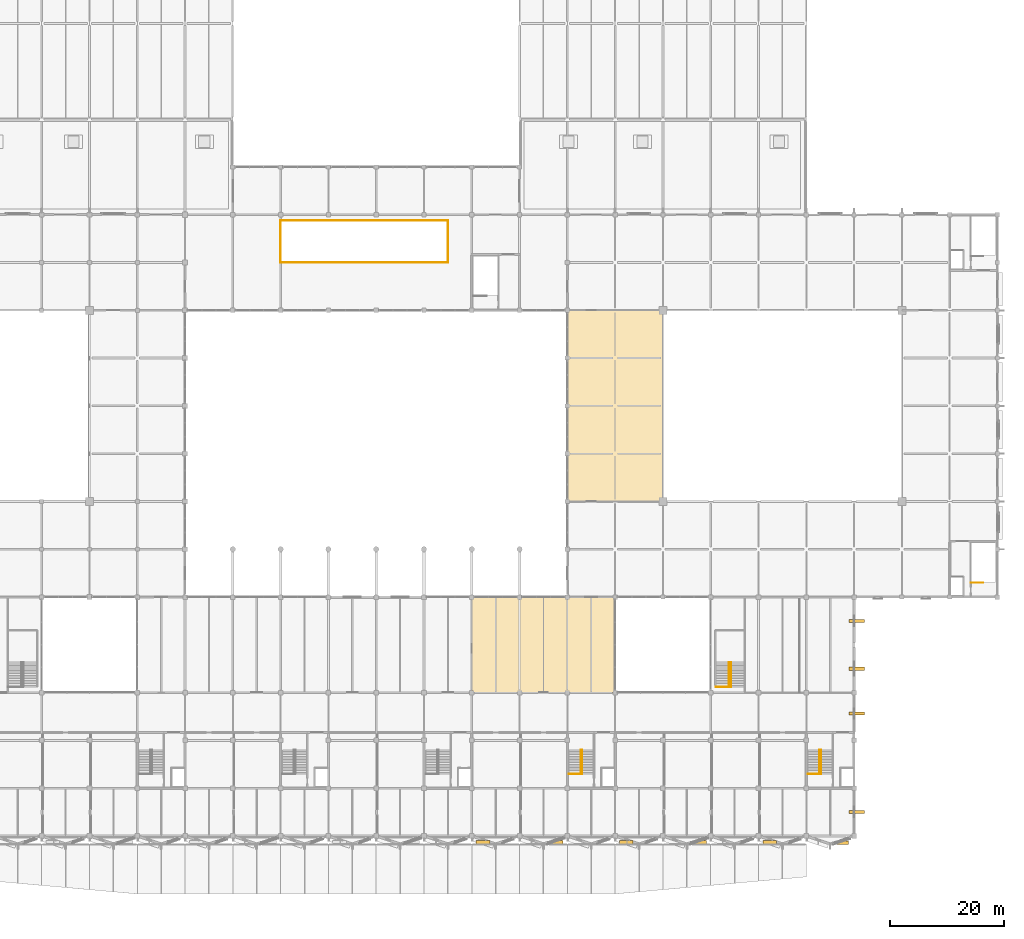
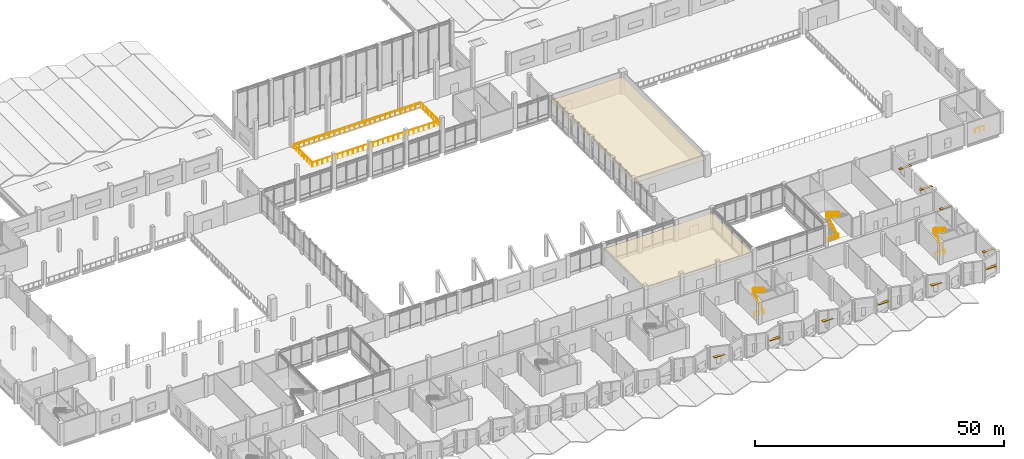
# One storey, part 71 of 72: 10 railings, 10 shading devices, 2 coverings.
"""IFC4 building model written with IfcOpenShell, lengths in metres."""

from ifc_helpers import new_model, si_unit, direction, frame, origin, origin_2d, place, context, subcontext, project, spatial, polyline, rectangle, circle, outline, extrude, material, layer, layer_set, type_object, element, save


model = new_model("IFC4")

# Units and contexts
model_context = context("Model", 3, precision=1e-05, world=origin(), true_north=direction((0.0, 1.0)))
body_context = subcontext(model_context, "Body", "Model", "MODEL_VIEW")
ifc_project = project(units=[si_unit("LENGTHUNIT", "METRE"), si_unit("AREAUNIT", "SQUARE_METRE"), si_unit("VOLUMEUNIT", "CUBIC_METRE"), si_unit("PLANEANGLEUNIT", "RADIAN"), si_unit("MASSUNIT", "GRAM", prefix="KILO")], contexts=[model_context])

# Site, building, storey
site_placement = place(None, origin())
site = spatial("IfcSite", under=ifc_project, at=site_placement, CompositionType="ELEMENT")
building_placement = place(site_placement, origin())
building = spatial("IfcBuilding", under=site, at=building_placement, Name="Qawsi Khor Wholesale Market", CompositionType="ELEMENT")
storey_placement = place(building_placement, frame((0.0, 0.0, 6.0)))
storey = spatial("IfcBuildingStorey", under=building, at=storey_placement, Name="L01", CompositionType="ELEMENT", Elevation=6.0)

# Railings
ifc_material_1 = material(Name="Brushed Stainless Steel 316", Category="steel")
railing_type_1 = type_object("IfcRailingType", Name="Atrium Guard Balustrade 1150", PredefinedType="BALUSTRADE", material=ifc_material_1)
railing_1_placement = place(storey_placement, frame((168.8798828125, 26.179931640625, 0.0)))
element("IfcRailing", 1, at=railing_1_placement, inside=storey, type_object=railing_type_1, Name="Atrium stair arrival guard E L01", PredefinedType="BALUSTRADE", context=body_context, shape_type="SweptSolid", body=[
    extrude(circle(Radius=0.02392578125, at=origin_2d()), frame((0.0, 0.0, 1.1259765625), z_axis=(1.0, 0.0, 0.0), x_axis=(0.0, 1.0, 0.0)), (0.0, 0.0, 1.0), 2.670166015625),
    extrude(circle(Radius=0.02099609375, at=origin_2d()), origin(), (0.0, 0.0, 1.0), 1.101806640625),
    extrude(circle(Radius=0.02099609375, at=origin_2d()), frame((0.89013671875, 0.0, 0.0)), (0.0, 0.0, 1.0), 1.101806640625),
    extrude(circle(Radius=0.02099609375, at=origin_2d()), frame((1.780029296875, 0.0, 0.0)), (0.0, 0.0, 1.0), 1.101806640625),
    extrude(circle(Radius=0.02099609375, at=origin_2d()), frame((2.670166015625, 0.0, 0.0)), (0.0, 0.0, 1.0), 1.101806640625),
])
railing_2_placement = place(storey_placement, frame((171.219970703125, 26.199951171875, 0.050048828125)))
element("IfcRailing", 2, at=railing_2_placement, inside=storey, type_object=railing_type_1, Name="Atrium stair well guard E L01", PredefinedType="BALUSTRADE", context=body_context, shape_type="SweptSolid", body=[
    extrude(circle(Radius=0.02392578125, at=origin_2d()), frame((0.0, 0.0, 1.1259765625), z_axis=(0.0, 0.849649743971, 0.527347430608), x_axis=(-1.0, 0.0, 0.0)), (0.0, 0.0, 1.0), 5.119873046875),
    extrude(circle(Radius=0.02392578125, at=origin_2d()), frame((0.0, 4.35009765625, 3.82568359375), z_axis=(1.0, 0.0, 0.0), x_axis=(0.0, 1.0, 0.0)), (0.0, 0.0, 1.0), 0.360107421875),
    extrude(circle(Radius=0.02392578125, at=origin_2d()), frame((0.360107421875, 4.35009765625, 3.82568359375), z_axis=(0.0, -0.849649743971, 0.527347430608), x_axis=(1.0, 0.0, 0.0)), (0.0, 0.0, 1.0), 5.119873046875),
    extrude(circle(Radius=0.02099609375, at=origin_2d()), origin(), (0.0, 0.0, 1.0), 1.101806640625),
    extrude(circle(Radius=0.02099609375, at=origin_2d()), frame((0.0, 0.8701171875, 0.5400390625)), (0.0, 0.0, 1.0), 1.101806640625),
    extrude(circle(Radius=0.02099609375, at=origin_2d()), frame((0.0, 1.739990234375, 1.080078125)), (0.0, 0.0, 1.0), 1.101806640625),
    extrude(circle(Radius=0.02099609375, at=origin_2d()), frame((0.0, 2.610107421875, 1.619873046875)), (0.0, 0.0, 1.0), 1.101806640625),
    extrude(circle(Radius=0.02099609375, at=origin_2d()), frame((0.0, 3.47998046875, 2.159912109375)), (0.0, 0.0, 1.0), 1.101806640625),
    extrude(circle(Radius=0.02099609375, at=origin_2d()), frame((0.0, 4.35009765625, 2.699951171875)), (0.0, 0.0, 1.0), 1.101806640625),
    extrude(circle(Radius=0.02099609375, at=origin_2d()), frame((0.360107421875, 4.35009765625, 2.699951171875)), (0.0, 0.0, 1.0), 1.101806640625),
    extrude(circle(Radius=0.02099609375, at=origin_2d()), frame((0.360107421875, 3.47998046875, 3.239990234375)), (0.0, 0.0, 1.0), 1.101806640625),
    extrude(circle(Radius=0.02099609375, at=origin_2d()), frame((0.360107421875, 2.610107421875, 3.780029296875)), (0.0, 0.0, 1.0), 1.101806640625),
    extrude(circle(Radius=0.02099609375, at=origin_2d()), frame((0.360107421875, 1.739990234375, 4.31982421875)), (0.0, 0.0, 1.0), 1.101806640625),
    extrude(circle(Radius=0.02099609375, at=origin_2d()), frame((0.360107421875, 0.8701171875, 4.85986328125)), (0.0, 0.0, 1.0), 1.101806640625),
    extrude(circle(Radius=0.02099609375, at=origin_2d()), frame((0.360107421875, 0.0, 5.39990234375)), (0.0, 0.0, 1.0), 1.101806640625),
])

# Shading devices
ifc_material_2 = material(Name="Anodised Aluminium Louvre", Category="aluminium")
shading_device_type_1 = type_object("IfcShadingDeviceType", Name="Deep-Set Horizontal Sun-Shading Louvre", PredefinedType="JALOUSIE", material=ifc_material_2)
for number, where, z_axis, x_axis, name in (
    (3, (127.959716796875, -1.122314453125, 3.0400390625), (0.0, 0.0, 1.0), (1.0, 0.0, 0.0), "Sun-shading louvre 009"),
    (4, (140.838134765625, -1.112548828125, 2.68994140625), (0.0, 0.0, 1.0), (1.0, 0.0, 0.0), "Sun-shading louvre 010"),
    (5, (153.159912109375, -1.122314453125, 3.0400390625), (0.0, 0.0, 1.0), (1.0, 0.0, 0.0), "Sun-shading louvre 011"),
    (6, (166.0380859375, -1.112548828125, 2.68994140625), (0.0, 0.0, 1.0), (1.0, 0.0, 0.0), "Sun-shading louvre 012"),
    (7, (178.35986328125, -1.122314453125, 3.0400390625), (0.0, 0.0, 1.0), (1.0, 0.0, 0.0), "Sun-shading louvre 013"),
    (8, (191.037109375, -1.18701171875, 2.68994140625), (0.0, 0.0, 1.0), (1.0, 0.0, 0.0), "Sun-shading louvre 014"),
):
    element("IfcShadingDevice", number, at=place(storey_placement, frame(where, z_axis=z_axis, x_axis=x_axis)), inside=storey, type_object=shading_device_type_1, Name=name, PredefinedType="JALOUSIE", context=body_context, shape_type="SweptSolid", body=[
        extrude(rectangle(XDim=2.39990234375, YDim=0.64990234375, at=origin_2d()), origin(), (0.0, 0.0, 1.0), 0.1201171875),
    ])
shading_device_type_2 = type_object("IfcShadingDeviceType", Name="East Wing Vertical Sun-Baffle", PredefinedType="JALOUSIE", material=ifc_material_2)
for number, where, z_axis, x_axis, name in (
    (9, (193.6650390625, 4.199951171875, 2.68017578125), (0.0, 0.0, 1.0), (1.0, 0.0, 0.0), "Sun-shading louvre 040"),
    (10, (193.6650390625, 21.5, 2.68017578125), (0.0, 0.0, 1.0), (1.0, 0.0, 0.0), "Sun-shading louvre 041"),
    (11, (193.6650390625, 29.39990234375, 2.68017578125), (0.0, 0.0, 1.0), (1.0, 0.0, 0.0), "Sun-shading louvre 042"),
    (12, (193.6650390625, 37.800048828125, 2.68017578125), (0.0, 0.0, 1.0), (1.0, 0.0, 0.0), "Sun-shading louvre 043"),
):
    element("IfcShadingDevice", number, at=place(storey_placement, frame(where, z_axis=z_axis, x_axis=x_axis)), inside=storey, type_object=shading_device_type_2, Name=name, PredefinedType="JALOUSIE", context=body_context, shape_type="SweptSolid", body=[
        extrude(rectangle(XDim=2.800048828125, YDim=0.550048828125, at=origin_2d()), origin(), (0.0, 0.0, 1.0), 0.139892578125),
    ])

# Coverings
ifc_material_3 = material(Name="Antimicrobial Coated Steel Ceiling", Category="steel")
ifc_layer = layer(ifc_material_3, 0.048095703125, Name="Antimicrobial Coated Steel Ceiling")
ifc_layer_set = layer_set([ifc_layer], Name="Antimicrobial Coated Steel Ceiling")
covering_type = type_object("IfcCoveringType", Name="Hygienic Washable Lab & Kitchen Ceiling", PredefinedType="CEILING", material=ifc_layer_set)
covering_1_placement = place(storey_placement, frame((0.0, 0.0, 3.800048828125)))
element("IfcCovering", 13, at=covering_1_placement, inside=storey, type_object=covering_type, Name="Suspended ceiling 4", PredefinedType="CEILING", context=body_context, shape_type="SweptSolid", body=[
    extrude(outline(polyline([(142.800048828125, 58.800048828125), (159.60009765625, 58.800048828125), (159.60009765625, 92.39990234375), (142.800048828125, 92.39990234375), (142.800048828125, 58.800048828125)])), origin(), (0.0, 0.0, 1.0), 0.0478515625),
])
covering_2_placement = place(storey_placement, frame((0.0, 0.0, 3.800048828125)))
element("IfcCovering", 14, at=covering_2_placement, inside=storey, type_object=covering_type, Name="Suspended ceiling 5", PredefinedType="CEILING", context=body_context, shape_type="SweptSolid", body=[
    extrude(outline(polyline([(126.0, 25.199951171875), (151.199951171875, 25.199951171875), (151.199951171875, 42.0), (126.0, 42.0), (126.0, 25.199951171875)])), origin(), (0.0, 0.0, 1.0), 0.0478515625),
])

# Railings
railing_type_2 = type_object("IfcRailingType", Name="Stair & Void Guard Balustrade 1120", PredefinedType="BALUSTRADE", material=ifc_material_1)
for number, where, name in (
    (15, (143.10009765625, 10.89990234375, 0.0), "Stairwell arrival guard ST-05 L01"),
    (16, (185.10009765625, 10.89990234375, 0.0), "Stairwell arrival guard ST-06 L01"),
):
    element("IfcRailing", number, at=place(storey_placement, frame(where)), inside=storey, type_object=railing_type_2, Name=name, PredefinedType="BALUSTRADE", context=body_context, shape_type="SweptSolid", body=[
        extrude(circle(Radius=0.02392578125, at=origin_2d()), frame((0.0, 0.0, 1.09619140625), z_axis=(1.0, 0.0, 0.0), x_axis=(0.0, 1.0, 0.0)), (0.0, 0.0, 1.0), 2.27978515625),
        extrude(circle(Radius=0.02099609375, at=origin_2d()), origin(), (0.0, 0.0, 1.0), 1.072021484375),
        extrude(circle(Radius=0.02099609375, at=origin_2d()), frame((1.139892578125, 0.0, 0.0)), (0.0, 0.0, 1.0), 1.072021484375),
        extrude(circle(Radius=0.02099609375, at=origin_2d()), frame((2.27978515625, 0.0, 0.0)), (0.0, 0.0, 1.0), 1.072021484375),
    ])
railing_3_placement = place(storey_placement, frame((213.760009765625, 44.5, 0.0)))
element("IfcRailing", 17, at=railing_3_placement, inside=storey, type_object=railing_type_2, Name="Stairwell arrival guard ST-11 L01", PredefinedType="BALUSTRADE", context=body_context, shape_type="SweptSolid", body=[
    extrude(circle(Radius=0.02392578125, at=origin_2d()), frame((0.0, 0.0, 1.09619140625), z_axis=(1.0, 0.0, 0.0), x_axis=(0.0, 1.0, 0.0)), (0.0, 0.0, 1.0), 2.139892578125),
    extrude(circle(Radius=0.02099609375, at=origin_2d()), origin(), (0.0, 0.0, 1.0), 1.072021484375),
    extrude(circle(Radius=0.02099609375, at=origin_2d()), frame((1.06982421875, 0.0, 0.0)), (0.0, 0.0, 1.0), 1.072021484375),
    extrude(circle(Radius=0.02099609375, at=origin_2d()), frame((2.139892578125, 0.0, 0.0)), (0.0, 0.0, 1.0), 1.072021484375),
])
railing_type_3 = type_object("IfcRailingType", Name="Stair Pitch Handrail 920", PredefinedType="HANDRAIL", material=ifc_material_1)
railing_4_placement = place(storey_placement, frame((145.139892578125, 10.919921875, 0.168701171875)))
element("IfcRailing", 18, at=railing_4_placement, inside=storey, type_object=railing_type_3, Name="Stair handrail ST-05 L01 F1", PredefinedType="HANDRAIL", context=body_context, shape_type="SweptSolid", body=[
    extrude(circle(Radius=0.02392578125, at=origin_2d()), frame((0.0, 0.0, 0.89599609375), z_axis=(0.0, 0.856489757249, 0.516164020179), x_axis=(-1.0, 0.0, 0.0)), (0.0, 0.0, 1.0), 4.904052734375),
    extrude(circle(Radius=0.02099609375, at=origin_2d()), origin(), (0.0, 0.0, 1.0), 0.871826171875),
    extrude(circle(Radius=0.02099609375, at=origin_2d()), frame((0.0, 0.840087890625, 0.50634765625)), (0.0, 0.0, 1.0), 0.871826171875),
    extrude(circle(Radius=0.02099609375, at=origin_2d()), frame((0.0, 1.68017578125, 1.012451171875)), (0.0, 0.0, 1.0), 0.871826171875),
    extrude(circle(Radius=0.02099609375, at=origin_2d()), frame((0.0, 2.52001953125, 1.518798828125)), (0.0, 0.0, 1.0), 0.871826171875),
    extrude(circle(Radius=0.02099609375, at=origin_2d()), frame((0.0, 3.360107421875, 2.02490234375)), (0.0, 0.0, 1.0), 0.871826171875),
    extrude(circle(Radius=0.02099609375, at=origin_2d()), frame((0.0, 4.2001953125, 2.53125)), (0.0, 0.0, 1.0), 0.871826171875),
])
railing_5_placement = place(storey_placement, frame((145.39990234375, 15.1201171875, 2.86865234375)))
element("IfcRailing", 19, at=railing_5_placement, inside=storey, type_object=railing_type_3, Name="Stair handrail ST-05 L01 F2", PredefinedType="HANDRAIL", context=body_context, shape_type="SweptSolid", body=[
    extrude(circle(Radius=0.02392578125, at=origin_2d()), frame((0.0, 0.0, 0.89599609375), z_axis=(0.0, -0.856489757249, 0.516164020179), x_axis=(1.0, 0.0, 0.0)), (0.0, 0.0, 1.0), 4.904052734375),
    extrude(circle(Radius=0.02099609375, at=origin_2d()), origin(), (0.0, 0.0, 1.0), 0.871826171875),
    extrude(circle(Radius=0.02099609375, at=origin_2d()), frame((0.0, -0.840087890625, 0.50634765625)), (0.0, 0.0, 1.0), 0.871826171875),
    extrude(circle(Radius=0.02099609375, at=origin_2d()), frame((0.0, -1.68017578125, 1.012451171875)), (0.0, 0.0, 1.0), 0.871826171875),
    extrude(circle(Radius=0.02099609375, at=origin_2d()), frame((0.0, -2.52001953125, 1.518798828125)), (0.0, 0.0, 1.0), 0.871826171875),
    extrude(circle(Radius=0.02099609375, at=origin_2d()), frame((0.0, -3.360107421875, 2.02490234375)), (0.0, 0.0, 1.0), 0.871826171875),
    extrude(circle(Radius=0.02099609375, at=origin_2d()), frame((0.0, -4.2001953125, 2.53125)), (0.0, 0.0, 1.0), 0.871826171875),
])
railing_6_placement = place(storey_placement, frame((187.139892578125, 10.919921875, 0.168701171875)))
element("IfcRailing", 20, at=railing_6_placement, inside=storey, type_object=railing_type_3, Name="Stair handrail ST-06 L01 F1", PredefinedType="HANDRAIL", context=body_context, shape_type="SweptSolid", body=[
    extrude(circle(Radius=0.02392578125, at=origin_2d()), frame((0.0, 0.0, 0.89599609375), z_axis=(0.0, 0.856489757249, 0.516164020179), x_axis=(-1.0, 0.0, 0.0)), (0.0, 0.0, 1.0), 4.904052734375),
    extrude(circle(Radius=0.02099609375, at=origin_2d()), origin(), (0.0, 0.0, 1.0), 0.871826171875),
    extrude(circle(Radius=0.02099609375, at=origin_2d()), frame((0.0, 0.840087890625, 0.50634765625)), (0.0, 0.0, 1.0), 0.871826171875),
    extrude(circle(Radius=0.02099609375, at=origin_2d()), frame((0.0, 1.68017578125, 1.012451171875)), (0.0, 0.0, 1.0), 0.871826171875),
    extrude(circle(Radius=0.02099609375, at=origin_2d()), frame((0.0, 2.52001953125, 1.518798828125)), (0.0, 0.0, 1.0), 0.871826171875),
    extrude(circle(Radius=0.02099609375, at=origin_2d()), frame((0.0, 3.360107421875, 2.02490234375)), (0.0, 0.0, 1.0), 0.871826171875),
    extrude(circle(Radius=0.02099609375, at=origin_2d()), frame((0.0, 4.2001953125, 2.53125)), (0.0, 0.0, 1.0), 0.871826171875),
])
railing_7_placement = place(storey_placement, frame((187.39990234375, 15.1201171875, 2.86865234375)))
element("IfcRailing", 21, at=railing_7_placement, inside=storey, type_object=railing_type_3, Name="Stair handrail ST-06 L01 F2", PredefinedType="HANDRAIL", context=body_context, shape_type="SweptSolid", body=[
    extrude(circle(Radius=0.02392578125, at=origin_2d()), frame((0.0, 0.0, 0.89599609375), z_axis=(0.0, -0.856489757249, 0.516164020179), x_axis=(1.0, 0.0, 0.0)), (0.0, 0.0, 1.0), 4.904052734375),
    extrude(circle(Radius=0.02099609375, at=origin_2d()), origin(), (0.0, 0.0, 1.0), 0.871826171875),
    extrude(circle(Radius=0.02099609375, at=origin_2d()), frame((0.0, -0.840087890625, 0.50634765625)), (0.0, 0.0, 1.0), 0.871826171875),
    extrude(circle(Radius=0.02099609375, at=origin_2d()), frame((0.0, -1.68017578125, 1.012451171875)), (0.0, 0.0, 1.0), 0.871826171875),
    extrude(circle(Radius=0.02099609375, at=origin_2d()), frame((0.0, -2.52001953125, 1.518798828125)), (0.0, 0.0, 1.0), 0.871826171875),
    extrude(circle(Radius=0.02099609375, at=origin_2d()), frame((0.0, -3.360107421875, 2.02490234375)), (0.0, 0.0, 1.0), 0.871826171875),
    extrude(circle(Radius=0.02099609375, at=origin_2d()), frame((0.0, -4.2001953125, 2.53125)), (0.0, 0.0, 1.0), 0.871826171875),
])
ifc_material_4 = material(Name="Brushed Stainless Steel 316 & Laminated Glass", Category="steel")
railing_type_4 = type_object("IfcRailingType", Name="Terrace Perimeter Guard Balustrade 1180", PredefinedType="BALUSTRADE", material=ifc_material_4)
railing_8_placement = place(storey_placement, frame((92.39990234375, 100.800048828125, 0.0)))
element("IfcRailing", 22, at=railing_8_placement, inside=storey, type_object=railing_type_4, Name="Guard balustrade GRD-VOID-AUC-L01", PredefinedType="BALUSTRADE", context=body_context, shape_type="SweptSolid", body=[
    extrude(circle(Radius=0.02392578125, at=origin_2d()), frame((0.0, 0.0, 1.15576171875), z_axis=(1.0, 0.0, 0.0), x_axis=(0.0, 1.0, 0.0)), (0.0, 0.0, 1.0), 29.400146484375),
    extrude(circle(Radius=0.02392578125, at=origin_2d()), frame((29.400146484375, 0.0, 1.15576171875), z_axis=(0.0, 1.0, 0.0), x_axis=(-1.0, 0.0, 0.0)), (0.0, 0.0, 1.0), 7.39990234375),
    extrude(circle(Radius=0.02392578125, at=origin_2d()), frame((29.400146484375, 7.39990234375, 1.15576171875), z_axis=(-1.0, 0.0, 0.0), x_axis=(0.0, -1.0, 0.0)), (0.0, 0.0, 1.0), 29.400146484375),
    extrude(circle(Radius=0.02392578125, at=origin_2d()), frame((0.0, 7.39990234375, 1.15576171875), z_axis=(0.0, -1.0, 0.0), x_axis=(1.0, 0.0, 0.0)), (0.0, 0.0, 1.0), 7.39990234375),
    extrude(circle(Radius=0.02099609375, at=origin_2d()), origin(), (0.0, 0.0, 1.0), 1.1318359375),
    extrude(circle(Radius=0.02099609375, at=origin_2d()), frame((1.176025390625, 0.0, 0.0)), (0.0, 0.0, 1.0), 1.1318359375),
    extrude(circle(Radius=0.02099609375, at=origin_2d()), frame((2.35205078125, 0.0, 0.0)), (0.0, 0.0, 1.0), 1.1318359375),
    extrude(circle(Radius=0.02099609375, at=origin_2d()), frame((3.528076171875, 0.0, 0.0)), (0.0, 0.0, 1.0), 1.1318359375),
    extrude(circle(Radius=0.02099609375, at=origin_2d()), frame((4.7041015625, 0.0, 0.0)), (0.0, 0.0, 1.0), 1.1318359375),
    extrude(circle(Radius=0.02099609375, at=origin_2d()), frame((5.880126953125, 0.0, 0.0)), (0.0, 0.0, 1.0), 1.1318359375),
    extrude(circle(Radius=0.02099609375, at=origin_2d()), frame((7.05615234375, 0.0, 0.0)), (0.0, 0.0, 1.0), 1.1318359375),
    extrude(circle(Radius=0.02099609375, at=origin_2d()), frame((8.23193359375, 0.0, 0.0)), (0.0, 0.0, 1.0), 1.1318359375),
    extrude(circle(Radius=0.02099609375, at=origin_2d()), frame((9.407958984375, 0.0, 0.0)), (0.0, 0.0, 1.0), 1.1318359375),
    extrude(circle(Radius=0.02099609375, at=origin_2d()), frame((10.583984375, 0.0, 0.0)), (0.0, 0.0, 1.0), 1.1318359375),
    extrude(circle(Radius=0.02099609375, at=origin_2d()), frame((11.760009765625, 0.0, 0.0)), (0.0, 0.0, 1.0), 1.1318359375),
    extrude(circle(Radius=0.02099609375, at=origin_2d()), frame((12.93603515625, 0.0, 0.0)), (0.0, 0.0, 1.0), 1.1318359375),
    extrude(circle(Radius=0.02099609375, at=origin_2d()), frame((14.112060546875, 0.0, 0.0)), (0.0, 0.0, 1.0), 1.1318359375),
    extrude(circle(Radius=0.02099609375, at=origin_2d()), frame((15.2880859375, 0.0, 0.0)), (0.0, 0.0, 1.0), 1.1318359375),
    extrude(circle(Radius=0.02099609375, at=origin_2d()), frame((16.464111328125, 0.0, 0.0)), (0.0, 0.0, 1.0), 1.1318359375),
    extrude(circle(Radius=0.02099609375, at=origin_2d()), frame((17.64013671875, 0.0, 0.0)), (0.0, 0.0, 1.0), 1.1318359375),
    extrude(circle(Radius=0.02099609375, at=origin_2d()), frame((18.816162109375, 0.0, 0.0)), (0.0, 0.0, 1.0), 1.1318359375),
    extrude(circle(Radius=0.02099609375, at=origin_2d()), frame((19.9921875, 0.0, 0.0)), (0.0, 0.0, 1.0), 1.1318359375),
    extrude(circle(Radius=0.02099609375, at=origin_2d()), frame((21.168212890625, 0.0, 0.0)), (0.0, 0.0, 1.0), 1.1318359375),
    extrude(circle(Radius=0.02099609375, at=origin_2d()), frame((22.343994140625, 0.0, 0.0)), (0.0, 0.0, 1.0), 1.1318359375),
    extrude(circle(Radius=0.02099609375, at=origin_2d()), frame((23.52001953125, 0.0, 0.0)), (0.0, 0.0, 1.0), 1.1318359375),
    extrude(circle(Radius=0.02099609375, at=origin_2d()), frame((24.696044921875, 0.0, 0.0)), (0.0, 0.0, 1.0), 1.1318359375),
    extrude(circle(Radius=0.02099609375, at=origin_2d()), frame((25.8720703125, 0.0, 0.0)), (0.0, 0.0, 1.0), 1.1318359375),
    extrude(circle(Radius=0.02099609375, at=origin_2d()), frame((27.048095703125, 0.0, 0.0)), (0.0, 0.0, 1.0), 1.1318359375),
    extrude(circle(Radius=0.02099609375, at=origin_2d()), frame((28.22412109375, 0.0, 0.0)), (0.0, 0.0, 1.0), 1.1318359375),
    extrude(circle(Radius=0.02099609375, at=origin_2d()), frame((29.400146484375, 0.0, 0.0)), (0.0, 0.0, 1.0), 1.1318359375),
    extrude(circle(Radius=0.02099609375, at=origin_2d()), frame((29.400146484375, 1.05712890625, 0.0)), (0.0, 0.0, 1.0), 1.1318359375),
    extrude(circle(Radius=0.02099609375, at=origin_2d()), frame((29.400146484375, 2.1142578125, 0.0)), (0.0, 0.0, 1.0), 1.1318359375),
    extrude(circle(Radius=0.02099609375, at=origin_2d()), frame((29.400146484375, 3.17138671875, 0.0)), (0.0, 0.0, 1.0), 1.1318359375),
    extrude(circle(Radius=0.02099609375, at=origin_2d()), frame((29.400146484375, 4.228515625, 0.0)), (0.0, 0.0, 1.0), 1.1318359375),
    extrude(circle(Radius=0.02099609375, at=origin_2d()), frame((29.400146484375, 5.28564453125, 0.0)), (0.0, 0.0, 1.0), 1.1318359375),
    extrude(circle(Radius=0.02099609375, at=origin_2d()), frame((29.400146484375, 6.3427734375, 0.0)), (0.0, 0.0, 1.0), 1.1318359375),
    extrude(circle(Radius=0.02099609375, at=origin_2d()), frame((29.400146484375, 7.39990234375, 0.0)), (0.0, 0.0, 1.0), 1.1318359375),
    extrude(circle(Radius=0.02099609375, at=origin_2d()), frame((28.22412109375, 7.39990234375, 0.0)), (0.0, 0.0, 1.0), 1.1318359375),
    extrude(circle(Radius=0.02099609375, at=origin_2d()), frame((27.048095703125, 7.39990234375, 0.0)), (0.0, 0.0, 1.0), 1.1318359375),
    extrude(circle(Radius=0.02099609375, at=origin_2d()), frame((25.8720703125, 7.39990234375, 0.0)), (0.0, 0.0, 1.0), 1.1318359375),
    extrude(circle(Radius=0.02099609375, at=origin_2d()), frame((24.696044921875, 7.39990234375, 0.0)), (0.0, 0.0, 1.0), 1.1318359375),
    extrude(circle(Radius=0.02099609375, at=origin_2d()), frame((23.52001953125, 7.39990234375, 0.0)), (0.0, 0.0, 1.0), 1.1318359375),
    extrude(circle(Radius=0.02099609375, at=origin_2d()), frame((22.343994140625, 7.39990234375, 0.0)), (0.0, 0.0, 1.0), 1.1318359375),
    extrude(circle(Radius=0.02099609375, at=origin_2d()), frame((21.168212890625, 7.39990234375, 0.0)), (0.0, 0.0, 1.0), 1.1318359375),
    extrude(circle(Radius=0.02099609375, at=origin_2d()), frame((19.9921875, 7.39990234375, 0.0)), (0.0, 0.0, 1.0), 1.1318359375),
    extrude(circle(Radius=0.02099609375, at=origin_2d()), frame((18.816162109375, 7.39990234375, 0.0)), (0.0, 0.0, 1.0), 1.1318359375),
    extrude(circle(Radius=0.02099609375, at=origin_2d()), frame((17.64013671875, 7.39990234375, 0.0)), (0.0, 0.0, 1.0), 1.1318359375),
    extrude(circle(Radius=0.02099609375, at=origin_2d()), frame((16.464111328125, 7.39990234375, 0.0)), (0.0, 0.0, 1.0), 1.1318359375),
    extrude(circle(Radius=0.02099609375, at=origin_2d()), frame((15.2880859375, 7.39990234375, 0.0)), (0.0, 0.0, 1.0), 1.1318359375),
    extrude(circle(Radius=0.02099609375, at=origin_2d()), frame((14.112060546875, 7.39990234375, 0.0)), (0.0, 0.0, 1.0), 1.1318359375),
    extrude(circle(Radius=0.02099609375, at=origin_2d()), frame((12.93603515625, 7.39990234375, 0.0)), (0.0, 0.0, 1.0), 1.1318359375),
    extrude(circle(Radius=0.02099609375, at=origin_2d()), frame((11.760009765625, 7.39990234375, 0.0)), (0.0, 0.0, 1.0), 1.1318359375),
    extrude(circle(Radius=0.02099609375, at=origin_2d()), frame((10.583984375, 7.39990234375, 0.0)), (0.0, 0.0, 1.0), 1.1318359375),
    extrude(circle(Radius=0.02099609375, at=origin_2d()), frame((9.407958984375, 7.39990234375, 0.0)), (0.0, 0.0, 1.0), 1.1318359375),
    extrude(circle(Radius=0.02099609375, at=origin_2d()), frame((8.23193359375, 7.39990234375, 0.0)), (0.0, 0.0, 1.0), 1.1318359375),
    extrude(circle(Radius=0.02099609375, at=origin_2d()), frame((7.05615234375, 7.39990234375, 0.0)), (0.0, 0.0, 1.0), 1.1318359375),
    extrude(circle(Radius=0.02099609375, at=origin_2d()), frame((5.880126953125, 7.39990234375, 0.0)), (0.0, 0.0, 1.0), 1.1318359375),
    extrude(circle(Radius=0.02099609375, at=origin_2d()), frame((4.7041015625, 7.39990234375, 0.0)), (0.0, 0.0, 1.0), 1.1318359375),
    extrude(circle(Radius=0.02099609375, at=origin_2d()), frame((3.528076171875, 7.39990234375, 0.0)), (0.0, 0.0, 1.0), 1.1318359375),
    extrude(circle(Radius=0.02099609375, at=origin_2d()), frame((2.35205078125, 7.39990234375, 0.0)), (0.0, 0.0, 1.0), 1.1318359375),
    extrude(circle(Radius=0.02099609375, at=origin_2d()), frame((1.176025390625, 7.39990234375, 0.0)), (0.0, 0.0, 1.0), 1.1318359375),
    extrude(circle(Radius=0.02099609375, at=origin_2d()), frame((0.0, 7.39990234375, 0.0)), (0.0, 0.0, 1.0), 1.1318359375),
    extrude(circle(Radius=0.02099609375, at=origin_2d()), frame((0.0, 6.3427734375, 0.0)), (0.0, 0.0, 1.0), 1.1318359375),
    extrude(circle(Radius=0.02099609375, at=origin_2d()), frame((0.0, 5.28564453125, 0.0)), (0.0, 0.0, 1.0), 1.1318359375),
    extrude(circle(Radius=0.02099609375, at=origin_2d()), frame((0.0, 4.228515625, 0.0)), (0.0, 0.0, 1.0), 1.1318359375),
    extrude(circle(Radius=0.02099609375, at=origin_2d()), frame((0.0, 3.17138671875, 0.0)), (0.0, 0.0, 1.0), 1.1318359375),
    extrude(circle(Radius=0.02099609375, at=origin_2d()), frame((0.0, 2.1142578125, 0.0)), (0.0, 0.0, 1.0), 1.1318359375),
    extrude(circle(Radius=0.02099609375, at=origin_2d()), frame((0.0, 1.05712890625, 0.0)), (0.0, 0.0, 1.0), 1.1318359375),
])

save(model, "model.ifc")
